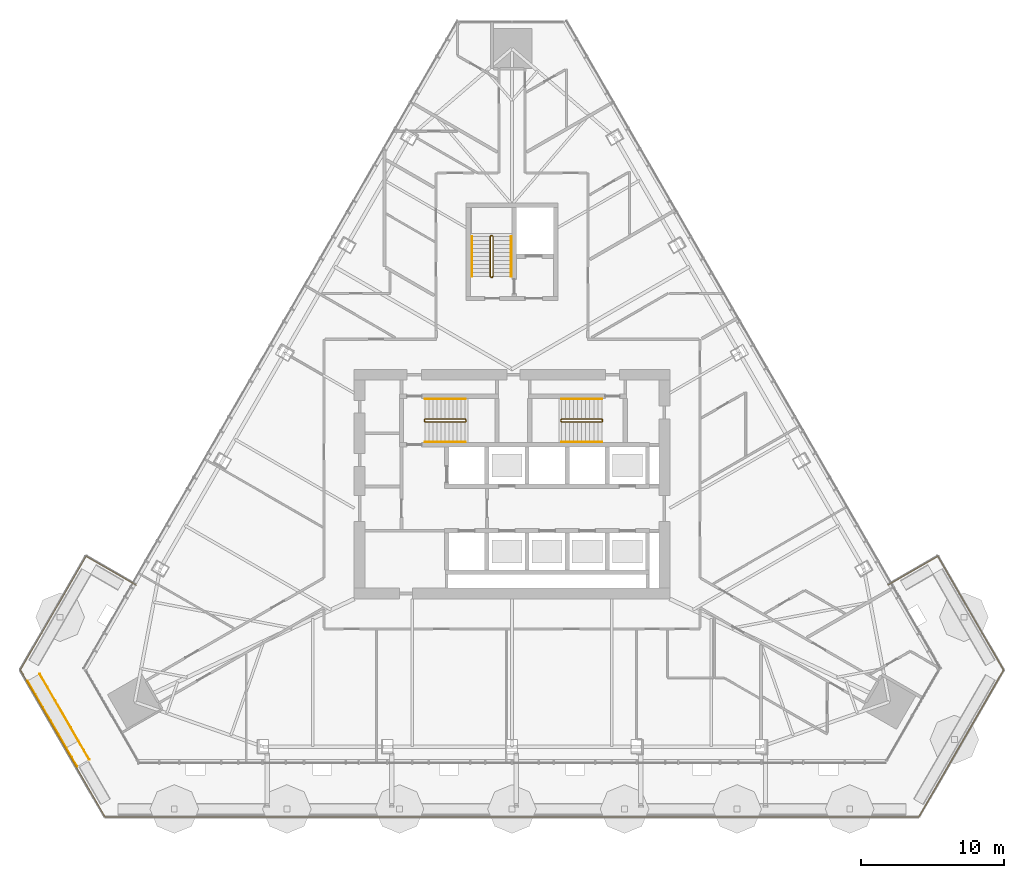
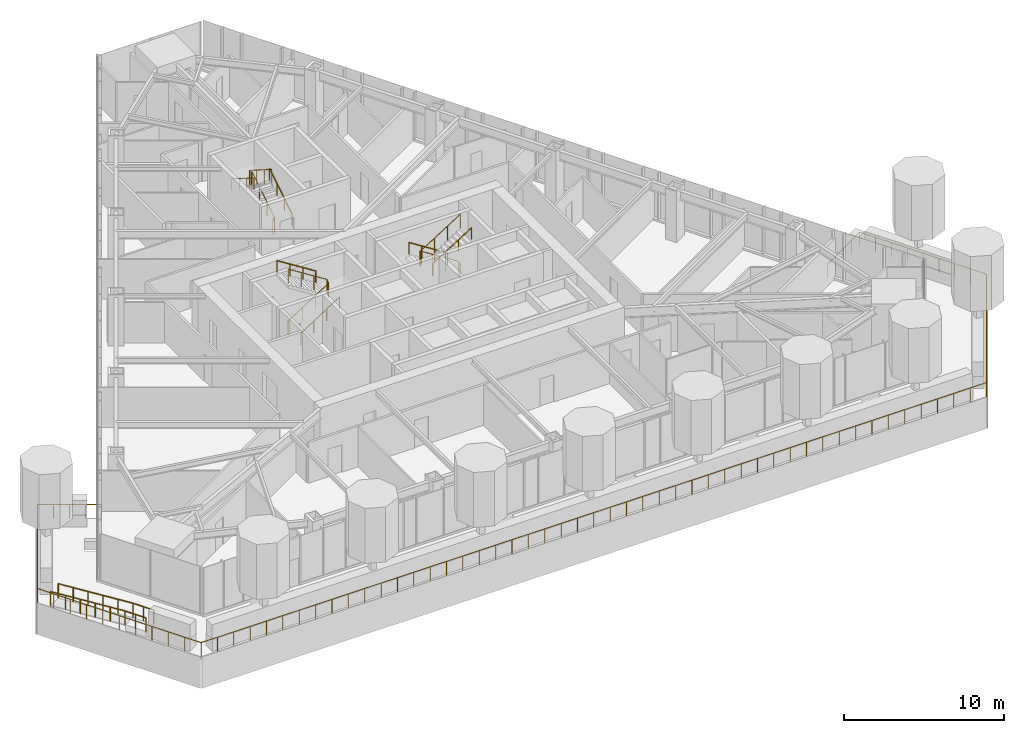
# One storey, part 22 of 24: 12 railings.
"""IFC4 building model written with IfcOpenShell, lengths in metres."""

from ifc_helpers import new_model, si_unit, direction, frame, origin, origin_2d, place, context, subcontext, project, spatial, circle, extrude, material, type_object, element, save


model = new_model("IFC4")

# Units and contexts
model_context = context("Model", 3, precision=1e-05, world=origin(), true_north=direction((0.0, 1.0)))
body_context = subcontext(model_context, "Body", "Model", "MODEL_VIEW")
ifc_project = project(units=[si_unit("LENGTHUNIT", "METRE"), si_unit("AREAUNIT", "SQUARE_METRE"), si_unit("VOLUMEUNIT", "CUBIC_METRE"), si_unit("PLANEANGLEUNIT", "RADIAN"), si_unit("MASSUNIT", "GRAM", prefix="KILO")], contexts=[model_context])

# Site, building, storey
site_placement = place(None, origin())
site = spatial("IfcSite", under=ifc_project, at=site_placement, CompositionType="ELEMENT")
building_placement = place(site_placement, origin())
building = spatial("IfcBuilding", under=site, at=building_placement, Name="Firuza Gate Tower and Library", CompositionType="ELEMENT")
storey_placement = place(building_placement, frame((0.0, 0.0, 194.800048828125)))
storey = spatial("IfcBuildingStorey", under=building, at=storey_placement, Name="L45", CompositionType="ELEMENT", Elevation=194.800048828125)

# Railings
ifc_material_1 = material(Name="Steel S355", Category="steel")
railing_type_1 = type_object("IfcRailingType", Name="Garden ramp guard 1100", PredefinedType="GUARDRAIL", material=ifc_material_1)
for number, where, name in (
    (1, (42.074462890625, 61.77490234375, 0.050048828125), "Ramp guard"),
    (2, (41.225830078125, 61.284912109375, 0.050048828125), "Ramp guard"),
):
    element("IfcRailing", number, at=place(storey_placement, frame(where)), inside=storey, type_object=railing_type_1, Name=name, PredefinedType="GUARDRAIL", context=body_context, shape_type="SweptSolid", body=[
        extrude(circle(Radius=0.02392578125, at=origin_2d()), frame((0.0, 0.0, 1.076171875), z_axis=(0.498629635652, -0.863663140512, 0.073854357826), x_axis=(0.866028230842, 0.499995103361, 0.0)), (0.0, 0.0, 1.0), 5.414794921875),
        extrude(circle(Radius=0.02392578125, at=origin_2d()), frame((2.699951171875, -4.676513671875, 1.47607421875), z_axis=(0.499990139034, -0.866031096941, 0.0), x_axis=(0.866031096941, 0.499990139034, 0.0)), (0.0, 0.0, 1.0), 1.5),
        extrude(circle(Radius=0.02099609375, at=origin_2d()), origin(), (0.0, 0.0, 1.0), 1.052001953125),
        extrude(circle(Radius=0.02099609375, at=origin_2d()), frame((0.5400390625, -0.935302734375, 0.080078125)), (0.0, 0.0, 1.0), 1.052001953125),
        extrude(circle(Radius=0.02099609375, at=origin_2d()), frame((1.080078125, -1.87060546875, 0.159912109375)), (0.0, 0.0, 1.0), 1.052001953125),
        extrude(circle(Radius=0.02099609375, at=origin_2d()), frame((1.619873046875, -2.805908203125, 0.239990234375)), (0.0, 0.0, 1.0), 1.052001953125),
        extrude(circle(Radius=0.02099609375, at=origin_2d()), frame((2.159912109375, -3.7412109375, 0.31982421875)), (0.0, 0.0, 1.0), 1.052001953125),
        extrude(circle(Radius=0.02099609375, at=origin_2d()), frame((2.699951171875, -4.676513671875, 0.39990234375)), (0.0, 0.0, 1.0), 1.052001953125),
        extrude(circle(Radius=0.02099609375, at=origin_2d()), frame((3.074951171875, -5.326171875, 0.39990234375)), (0.0, 0.0, 1.0), 1.052001953125),
        extrude(circle(Radius=0.02099609375, at=origin_2d()), frame((3.449951171875, -5.9755859375, 0.39990234375)), (0.0, 0.0, 1.0), 1.052001953125),
    ])
ifc_material_2 = material(Name="Steel S355", Category="steel")
railing_type_2 = type_object("IfcRailingType", Name="Stair guard 1100", PredefinedType="GUARDRAIL", material=ifc_material_2)
railing_1_placement = place(storey_placement, frame((68.889892578125, 79.389892578125, 0.0)))
element("IfcRailing", 3, at=railing_1_placement, inside=storey, type_object=railing_type_2, Name="L45 ST1 stair guard 1", PredefinedType="GUARDRAIL", context=body_context, shape_type="SweptSolid", body=[
    extrude(circle(Radius=0.02392578125, at=origin_2d()), frame((0.0, 0.0, 1.076171875), z_axis=(0.0, 1.0, 0.0), x_axis=(-1.0, 0.0, 0.0)), (0.0, 0.0, 1.0), 0.10009765625),
    extrude(circle(Radius=0.02392578125, at=origin_2d()), frame((0.0, 0.10009765625, 1.076171875), z_axis=(0.210758951027, -0.631248760638, 0.74639511437), x_axis=(0.948528701346, 0.316691178788, 0.0)), (0.0, 0.0, 1.0), 0.237548828125),
    extrude(circle(Radius=0.02392578125, at=origin_2d()), frame((0.050048828125, -0.0498046875, 1.25341796875), z_axis=(0.844908973607, 0.0, 0.534910110503), x_axis=(0.0, 1.0, 0.0)), (0.0, 0.0, 1.0), 3.31396484375),
    extrude(circle(Radius=0.02392578125, at=origin_2d()), frame((2.85009765625, -0.0498046875, 3.02587890625), z_axis=(0.708833529934, 0.705375805398, 0.0), x_axis=(-0.705375805398, 0.708833529934, 0.0)), (0.0, 0.0, 1.0), 0.070556640625),
    extrude(circle(Radius=0.02392578125, at=origin_2d()), frame((2.900146484375, 0.0, 3.02587890625), z_axis=(0.0, 1.0, 0.0), x_axis=(-1.0, 0.0, 0.0)), (0.0, 0.0, 1.0), 0.10009765625),
    extrude(circle(Radius=0.02392578125, at=origin_2d()), frame((2.900146484375, 0.10009765625, 3.02587890625), z_axis=(-0.262233686654, 0.262233686654, 0.928691007369), x_axis=(-0.707106781187, -0.707106781187, 0.0)), (0.0, 0.0, 1.0), 0.19091796875),
    extrude(circle(Radius=0.02392578125, at=origin_2d()), frame((2.85009765625, 0.150146484375, 3.203125), z_axis=(-0.844908973607, 0.0, 0.534910110503), x_axis=(0.0, -1.0, 0.0)), (0.0, 0.0, 1.0), 3.31396484375),
    extrude(circle(Radius=0.02099609375, at=origin_2d()), origin(), (0.0, 0.0, 1.0), 1.052001953125),
    extrude(circle(Radius=0.02099609375, at=origin_2d()), frame((0.0, 0.10009765625, 0.0)), (0.0, 0.0, 1.0), 1.052001953125),
    extrude(circle(Radius=0.02099609375, at=origin_2d()), frame((0.050048828125, -0.0498046875, 0.17724609375)), (0.0, 0.0, 1.0), 1.052001953125),
    extrude(circle(Radius=0.02099609375, at=origin_2d()), frame((0.9833984375, -0.0498046875, 0.76806640625)), (0.0, 0.0, 1.0), 1.052001953125),
    extrude(circle(Radius=0.02099609375, at=origin_2d()), frame((1.916748046875, -0.0498046875, 1.359130859375)), (0.0, 0.0, 1.0), 1.052001953125),
    extrude(circle(Radius=0.02099609375, at=origin_2d()), frame((2.85009765625, -0.0498046875, 1.949951171875)), (0.0, 0.0, 1.0), 1.052001953125),
    extrude(circle(Radius=0.02099609375, at=origin_2d()), frame((2.900146484375, 0.0, 1.949951171875)), (0.0, 0.0, 1.0), 1.052001953125),
    extrude(circle(Radius=0.02099609375, at=origin_2d()), frame((2.900146484375, 0.10009765625, 1.949951171875)), (0.0, 0.0, 1.0), 1.052001953125),
    extrude(circle(Radius=0.02099609375, at=origin_2d()), frame((2.85009765625, 0.150146484375, 2.127197265625)), (0.0, 0.0, 1.0), 1.052001953125),
    extrude(circle(Radius=0.02099609375, at=origin_2d()), frame((1.916748046875, 0.150146484375, 2.718017578125)), (0.0, 0.0, 1.0), 1.052001953125),
    extrude(circle(Radius=0.02099609375, at=origin_2d()), frame((0.9833984375, 0.150146484375, 3.30908203125)), (0.0, 0.0, 1.0), 1.052001953125),
    extrude(circle(Radius=0.02099609375, at=origin_2d()), frame((0.050048828125, 0.150146484375, 3.89990234375)), (0.0, 0.0, 1.0), 1.052001953125),
])
railing_2_placement = place(storey_placement, frame((81.31005859375, 79.489990234375, 0.0)))
element("IfcRailing", 4, at=railing_2_placement, inside=storey, type_object=railing_type_2, Name="L45 ST2 stair guard 1", PredefinedType="GUARDRAIL", context=body_context, shape_type="SweptSolid", body=[
    extrude(circle(Radius=0.02392578125, at=origin_2d()), frame((0.0, 0.0, 1.076171875), z_axis=(0.0, -1.0, 0.0), x_axis=(1.0, 0.0, 0.0)), (0.0, 0.0, 1.0), 0.10009765625),
    extrude(circle(Radius=0.02392578125, at=origin_2d()), frame((0.0, -0.10009765625, 1.076171875), z_axis=(-0.210622194084, 0.631866582253, 0.74591079466), x_axis=(-0.948683298051, -0.316227766017, 0.0)), (0.0, 0.0, 1.0), 0.237548828125),
    extrude(circle(Radius=0.02392578125, at=origin_2d()), frame((-0.050048828125, 0.050048828125, 1.25341796875), z_axis=(-0.844908973607, 0.0, 0.534910110503), x_axis=(0.0, -1.0, 0.0)), (0.0, 0.0, 1.0), 3.31396484375),
    extrude(circle(Radius=0.02392578125, at=origin_2d()), frame((-2.85009765625, 0.050048828125, 3.02587890625), z_axis=(-0.707106781187, -0.707106781187, 0.0), x_axis=(0.707106781187, -0.707106781187, 0.0)), (0.0, 0.0, 1.0), 0.07080078125),
    extrude(circle(Radius=0.02392578125, at=origin_2d()), frame((-2.900146484375, 0.0, 3.02587890625), z_axis=(0.0, -1.0, 0.0), x_axis=(1.0, 0.0, 0.0)), (0.0, 0.0, 1.0), 0.10009765625),
    extrude(circle(Radius=0.02392578125, at=origin_2d()), frame((-2.900146484375, -0.10009765625, 3.02587890625), z_axis=(0.262321481514, -0.261041864531, 0.929001929653), x_axis=(0.705375805398, 0.708833529934, 0.0)), (0.0, 0.0, 1.0), 0.190673828125),
    extrude(circle(Radius=0.02392578125, at=origin_2d()), frame((-2.85009765625, -0.14990234375, 3.203125), z_axis=(0.844908973607, 0.0, 0.534910110503), x_axis=(0.0, 1.0, 0.0)), (0.0, 0.0, 1.0), 3.31396484375),
    extrude(circle(Radius=0.02099609375, at=origin_2d()), origin(), (0.0, 0.0, 1.0), 1.052001953125),
    extrude(circle(Radius=0.02099609375, at=origin_2d()), frame((0.0, -0.10009765625, 0.0)), (0.0, 0.0, 1.0), 1.052001953125),
    extrude(circle(Radius=0.02099609375, at=origin_2d()), frame((-0.050048828125, 0.050048828125, 0.17724609375)), (0.0, 0.0, 1.0), 1.052001953125),
    extrude(circle(Radius=0.02099609375, at=origin_2d()), frame((-0.9833984375, 0.050048828125, 0.76806640625)), (0.0, 0.0, 1.0), 1.052001953125),
    extrude(circle(Radius=0.02099609375, at=origin_2d()), frame((-1.916748046875, 0.050048828125, 1.359130859375)), (0.0, 0.0, 1.0), 1.052001953125),
    extrude(circle(Radius=0.02099609375, at=origin_2d()), frame((-2.85009765625, 0.050048828125, 1.949951171875)), (0.0, 0.0, 1.0), 1.052001953125),
    extrude(circle(Radius=0.02099609375, at=origin_2d()), frame((-2.900146484375, 0.0, 1.949951171875)), (0.0, 0.0, 1.0), 1.052001953125),
    extrude(circle(Radius=0.02099609375, at=origin_2d()), frame((-2.900146484375, -0.10009765625, 1.949951171875)), (0.0, 0.0, 1.0), 1.052001953125),
    extrude(circle(Radius=0.02099609375, at=origin_2d()), frame((-2.85009765625, -0.14990234375, 2.127197265625)), (0.0, 0.0, 1.0), 1.052001953125),
    extrude(circle(Radius=0.02099609375, at=origin_2d()), frame((-1.916748046875, -0.14990234375, 2.718017578125)), (0.0, 0.0, 1.0), 1.052001953125),
    extrude(circle(Radius=0.02099609375, at=origin_2d()), frame((-0.9833984375, -0.14990234375, 3.30908203125)), (0.0, 0.0, 1.0), 1.052001953125),
    extrude(circle(Radius=0.02099609375, at=origin_2d()), frame((-0.050048828125, -0.14990234375, 3.89990234375)), (0.0, 0.0, 1.0), 1.052001953125),
])
railing_3_placement = place(storey_placement, frame((73.6298828125, 89.419921875, 0.0)))
element("IfcRailing", 5, at=railing_3_placement, inside=storey, type_object=railing_type_2, Name="L45 ST3 stair guard 1", PredefinedType="GUARDRAIL", context=body_context, shape_type="SweptSolid", body=[
    extrude(circle(Radius=0.02392578125, at=origin_2d()), frame((0.0, 0.0, 1.076171875), z_axis=(-1.0, 0.0, 0.0), x_axis=(0.0, -1.0, 0.0)), (0.0, 0.0, 1.0), 0.099853515625),
    extrude(circle(Radius=0.02392578125, at=origin_2d()), frame((-0.099853515625, 0.0, 1.076171875), z_axis=(0.631248760638, 0.210758951027, 0.74639511437), x_axis=(-0.316691178788, 0.948528701346, 0.0)), (0.0, 0.0, 1.0), 0.237548828125),
    extrude(circle(Radius=0.02392578125, at=origin_2d()), frame((0.050048828125, 0.050048828125, 1.25341796875), z_axis=(0.0, 0.844908973607, 0.534910110503), x_axis=(-1.0, 0.0, 0.0)), (0.0, 0.0, 1.0), 3.31396484375),
    extrude(circle(Radius=0.02392578125, at=origin_2d()), frame((0.050048828125, 2.85009765625, 3.02587890625), z_axis=(-0.707106781187, 0.707106781187, 0.0), x_axis=(-0.707106781187, -0.707106781187, 0.0)), (0.0, 0.0, 1.0), 0.07080078125),
    extrude(circle(Radius=0.02392578125, at=origin_2d()), frame((0.0, 2.900146484375, 3.02587890625), z_axis=(-1.0, 0.0, 0.0), x_axis=(0.0, -1.0, 0.0)), (0.0, 0.0, 1.0), 0.099853515625),
    extrude(circle(Radius=0.02392578125, at=origin_2d()), frame((-0.099853515625, 2.900146484375, 3.02587890625), z_axis=(-0.262233686654, -0.262233686654, 0.928691007369), x_axis=(0.707106781187, -0.707106781187, 0.0)), (0.0, 0.0, 1.0), 0.19091796875),
    extrude(circle(Radius=0.02392578125, at=origin_2d()), frame((-0.14990234375, 2.85009765625, 3.203125), z_axis=(0.0, -0.844908973607, 0.534910110503), x_axis=(1.0, 0.0, 0.0)), (0.0, 0.0, 1.0), 3.31396484375),
    extrude(circle(Radius=0.02099609375, at=origin_2d()), origin(), (0.0, 0.0, 1.0), 1.052001953125),
    extrude(circle(Radius=0.02099609375, at=origin_2d()), frame((-0.099853515625, 0.0, 0.0)), (0.0, 0.0, 1.0), 1.052001953125),
    extrude(circle(Radius=0.02099609375, at=origin_2d()), frame((0.050048828125, 0.050048828125, 0.17724609375)), (0.0, 0.0, 1.0), 1.052001953125),
    extrude(circle(Radius=0.02099609375, at=origin_2d()), frame((0.050048828125, 0.9833984375, 0.76806640625)), (0.0, 0.0, 1.0), 1.052001953125),
    extrude(circle(Radius=0.02099609375, at=origin_2d()), frame((0.050048828125, 1.916748046875, 1.359130859375)), (0.0, 0.0, 1.0), 1.052001953125),
    extrude(circle(Radius=0.02099609375, at=origin_2d()), frame((0.050048828125, 2.85009765625, 1.949951171875)), (0.0, 0.0, 1.0), 1.052001953125),
    extrude(circle(Radius=0.02099609375, at=origin_2d()), frame((0.0, 2.900146484375, 1.949951171875)), (0.0, 0.0, 1.0), 1.052001953125),
    extrude(circle(Radius=0.02099609375, at=origin_2d()), frame((-0.099853515625, 2.900146484375, 1.949951171875)), (0.0, 0.0, 1.0), 1.052001953125),
    extrude(circle(Radius=0.02099609375, at=origin_2d()), frame((-0.14990234375, 2.85009765625, 2.127197265625)), (0.0, 0.0, 1.0), 1.052001953125),
    extrude(circle(Radius=0.02099609375, at=origin_2d()), frame((-0.14990234375, 1.916748046875, 2.718017578125)), (0.0, 0.0, 1.0), 1.052001953125),
    extrude(circle(Radius=0.02099609375, at=origin_2d()), frame((-0.14990234375, 0.9833984375, 3.30908203125)), (0.0, 0.0, 1.0), 1.052001953125),
    extrude(circle(Radius=0.02099609375, at=origin_2d()), frame((-0.14990234375, 0.050048828125, 3.89990234375)), (0.0, 0.0, 1.0), 1.052001953125),
])
ifc_material_3 = material(Name="Steel S355", Category="steel")
railing_type_3 = type_object("IfcRailingType", Name="Stair handrail 900", PredefinedType="HANDRAIL", material=ifc_material_3)
railing_4_placement = place(storey_placement, frame((68.93994140625, 77.949951171875, 0.17724609375)))
element("IfcRailing", 6, at=railing_4_placement, inside=storey, type_object=railing_type_3, Name="L45 ST1 stair handrail 1", PredefinedType="HANDRAIL", context=body_context, shape_type="SweptSolid", body=[
    extrude(circle(Radius=0.02392578125, at=origin_2d()), frame((0.0, 0.0, 0.8759765625), z_axis=(0.844908973607, 0.0, 0.534910110503), x_axis=(0.0, 1.0, 0.0)), (0.0, 0.0, 1.0), 3.31396484375),
    extrude(circle(Radius=0.02099609375, at=origin_2d()), origin(), (0.0, 0.0, 1.0), 0.851806640625),
    extrude(circle(Radius=0.02099609375, at=origin_2d()), frame((0.933349609375, 0.0, 0.5908203125)), (0.0, 0.0, 1.0), 0.851806640625),
    extrude(circle(Radius=0.02099609375, at=origin_2d()), frame((1.86669921875, 0.0, 1.181884765625)), (0.0, 0.0, 1.0), 0.851806640625),
    extrude(circle(Radius=0.02099609375, at=origin_2d()), frame((2.800048828125, 0.0, 1.772705078125)), (0.0, 0.0, 1.0), 0.851806640625),
])
for number, where, name in (
    (7, (71.739990234375, 80.929931640625, 2.127197265625), "L45 ST1 stair handrail 2"),
    (8, (81.260009765625, 80.929931640625, 0.17724609375), "L45 ST2 stair handrail 1"),
):
    element("IfcRailing", number, at=place(storey_placement, frame(where)), inside=storey, type_object=railing_type_3, Name=name, PredefinedType="HANDRAIL", context=body_context, shape_type="SweptSolid", body=[
        extrude(circle(Radius=0.02392578125, at=origin_2d()), frame((0.0, 0.0, 0.8759765625), z_axis=(-0.844908973607, 0.0, 0.534910110503), x_axis=(0.0, -1.0, 0.0)), (0.0, 0.0, 1.0), 3.31396484375),
        extrude(circle(Radius=0.02099609375, at=origin_2d()), origin(), (0.0, 0.0, 1.0), 0.851806640625),
        extrude(circle(Radius=0.02099609375, at=origin_2d()), frame((-0.933349609375, 0.0, 0.5908203125)), (0.0, 0.0, 1.0), 0.851806640625),
        extrude(circle(Radius=0.02099609375, at=origin_2d()), frame((-1.86669921875, 0.0, 1.181884765625)), (0.0, 0.0, 1.0), 0.851806640625),
        extrude(circle(Radius=0.02099609375, at=origin_2d()), frame((-2.800048828125, 0.0, 1.772705078125)), (0.0, 0.0, 1.0), 0.851806640625),
    ])
railing_5_placement = place(storey_placement, frame((78.4599609375, 77.949951171875, 2.127197265625)))
element("IfcRailing", 9, at=railing_5_placement, inside=storey, type_object=railing_type_3, Name="L45 ST2 stair handrail 2", PredefinedType="HANDRAIL", context=body_context, shape_type="SweptSolid", body=[
    extrude(circle(Radius=0.02392578125, at=origin_2d()), frame((0.0, 0.0, 0.8759765625), z_axis=(0.844908973607, 0.0, 0.534910110503), x_axis=(0.0, 1.0, 0.0)), (0.0, 0.0, 1.0), 3.31396484375),
    extrude(circle(Radius=0.02099609375, at=origin_2d()), origin(), (0.0, 0.0, 1.0), 0.851806640625),
    extrude(circle(Radius=0.02099609375, at=origin_2d()), frame((0.933349609375, 0.0, 0.5908203125)), (0.0, 0.0, 1.0), 0.851806640625),
    extrude(circle(Radius=0.02099609375, at=origin_2d()), frame((1.86669921875, 0.0, 1.181884765625)), (0.0, 0.0, 1.0), 0.851806640625),
    extrude(circle(Radius=0.02099609375, at=origin_2d()), frame((2.800048828125, 0.0, 1.772705078125)), (0.0, 0.0, 1.0), 0.851806640625),
])
railing_6_placement = place(storey_placement, frame((74.949951171875, 89.469970703125, 0.17724609375)))
element("IfcRailing", 10, at=railing_6_placement, inside=storey, type_object=railing_type_3, Name="L45 ST3 stair handrail 1", PredefinedType="HANDRAIL", context=body_context, shape_type="SweptSolid", body=[
    extrude(circle(Radius=0.02392578125, at=origin_2d()), frame((0.0, 0.0, 0.8759765625), z_axis=(0.0, 0.844908973607, 0.534910110503), x_axis=(-1.0, 0.0, 0.0)), (0.0, 0.0, 1.0), 3.31396484375),
    extrude(circle(Radius=0.02099609375, at=origin_2d()), origin(), (0.0, 0.0, 1.0), 0.851806640625),
    extrude(circle(Radius=0.02099609375, at=origin_2d()), frame((0.0, 0.933349609375, 0.5908203125)), (0.0, 0.0, 1.0), 0.851806640625),
    extrude(circle(Radius=0.02099609375, at=origin_2d()), frame((0.0, 1.86669921875, 1.181884765625)), (0.0, 0.0, 1.0), 0.851806640625),
    extrude(circle(Radius=0.02099609375, at=origin_2d()), frame((0.0, 2.800048828125, 1.772705078125)), (0.0, 0.0, 1.0), 0.851806640625),
])
railing_7_placement = place(storey_placement, frame((72.2099609375, 92.27001953125, 2.127197265625)))
element("IfcRailing", 11, at=railing_7_placement, inside=storey, type_object=railing_type_3, Name="L45 ST3 stair handrail 2", PredefinedType="HANDRAIL", context=body_context, shape_type="SweptSolid", body=[
    extrude(circle(Radius=0.02392578125, at=origin_2d()), frame((0.0, 0.0, 0.8759765625), z_axis=(0.0, -0.844908973607, 0.534910110503), x_axis=(1.0, 0.0, 0.0)), (0.0, 0.0, 1.0), 3.31396484375),
    extrude(circle(Radius=0.02099609375, at=origin_2d()), origin(), (0.0, 0.0, 1.0), 0.851806640625),
    extrude(circle(Radius=0.02099609375, at=origin_2d()), frame((0.0, -0.933349609375, 0.5908203125)), (0.0, 0.0, 1.0), 0.851806640625),
    extrude(circle(Radius=0.02099609375, at=origin_2d()), frame((0.0, -1.86669921875, 1.181884765625)), (0.0, 0.0, 1.0), 0.851806640625),
    extrude(circle(Radius=0.02099609375, at=origin_2d()), frame((0.0, -2.800048828125, 1.772705078125)), (0.0, 0.0, 1.0), 0.851806640625),
])
ifc_material_4 = material(Name="Steel S355", Category="steel")
railing_type_4 = type_object("IfcRailingType", Name="Terrace guard 1100", PredefinedType="GUARDRAIL", material=ifc_material_4)
railing_8_placement = place(storey_placement, frame((48.770751953125, 67.971923828125, 0.0)))
element("IfcRailing", 12, at=railing_8_placement, inside=storey, type_object=railing_type_4, Name="Tray guard L45", PredefinedType="GUARDRAIL", context=body_context, shape_type="SweptSolid", body=[
    extrude(circle(Radius=0.02392578125, at=origin_2d()), frame((0.0, 0.0, 1.076171875), z_axis=(-0.866026010844, 0.49999894854, 0.0), x_axis=(-0.49999894854, -0.866026010844, 0.0)), (0.0, 0.0, 1.0), 4.0),
    extrude(circle(Radius=0.02392578125, at=origin_2d()), frame((-3.464111328125, 2.0, 1.076171875), z_axis=(-0.499992222768, -0.866029893925, 0.0), x_axis=(0.866029893925, -0.499992222768, 0.0)), (0.0, 0.0, 1.0), 9.165771484375),
    extrude(circle(Radius=0.02392578125, at=origin_2d()), frame((-8.046875, -5.937744140625, 1.076171875), z_axis=(0.500002592159, -0.866023907196, 0.0), x_axis=(0.866023907196, 0.500002592159, 0.0)), (0.0, 0.0, 1.0), 11.81884765625),
    extrude(circle(Radius=0.02392578125, at=origin_2d()), frame((-2.137451171875, -16.173095703125, 1.076171875), z_axis=(1.0, 0.0, 0.0), x_axis=(0.0, 1.0, 0.0)), (0.0, 0.0, 1.0), 56.7333984375),
    extrude(circle(Radius=0.02392578125, at=origin_2d()), frame((54.595947265625, -16.173095703125, 1.076171875), z_axis=(0.500002592159, 0.866023907196, 0.0), x_axis=(-0.866023907196, 0.500002592159, 0.0)), (0.0, 0.0, 1.0), 11.81884765625),
    extrude(circle(Radius=0.02392578125, at=origin_2d()), frame((60.50537109375, -5.937744140625, 1.076171875), z_axis=(-0.499992222768, 0.866029893925, 0.0), x_axis=(-0.866029893925, -0.499992222768, 0.0)), (0.0, 0.0, 1.0), 9.165771484375),
    extrude(circle(Radius=0.02392578125, at=origin_2d()), frame((55.922607421875, 2.0, 1.076171875), z_axis=(-0.866026010844, -0.49999894854, 0.0), x_axis=(0.49999894854, -0.866026010844, 0.0)), (0.0, 0.0, 1.0), 4.0),
    extrude(circle(Radius=0.02099609375, at=origin_2d()), origin(), (0.0, 0.0, 1.0), 1.052001953125),
    extrude(circle(Radius=0.02099609375, at=origin_2d()), frame((-0.865966796875, 0.5, 0.0)), (0.0, 0.0, 1.0), 1.052001953125),
    extrude(circle(Radius=0.02099609375, at=origin_2d()), frame((-1.73193359375, 1.0, 0.0)), (0.0, 0.0, 1.0), 1.052001953125),
    extrude(circle(Radius=0.02099609375, at=origin_2d()), frame((-2.59814453125, 1.5, 0.0)), (0.0, 0.0, 1.0), 1.052001953125),
    extrude(circle(Radius=0.02099609375, at=origin_2d()), frame((-3.464111328125, 2.0, 0.0)), (0.0, 0.0, 1.0), 1.052001953125),
    extrude(circle(Radius=0.02099609375, at=origin_2d()), frame((-4.036865234375, 1.0078125, 0.0)), (0.0, 0.0, 1.0), 1.052001953125),
    extrude(circle(Radius=0.02099609375, at=origin_2d()), frame((-4.60986328125, 0.015625, 0.0)), (0.0, 0.0, 1.0), 1.052001953125),
    extrude(circle(Radius=0.02099609375, at=origin_2d()), frame((-5.1826171875, -0.9765625, 0.0)), (0.0, 0.0, 1.0), 1.052001953125),
    extrude(circle(Radius=0.02099609375, at=origin_2d()), frame((-5.75537109375, -1.96875, 0.0)), (0.0, 0.0, 1.0), 1.052001953125),
    extrude(circle(Radius=0.02099609375, at=origin_2d()), frame((-6.328369140625, -2.961181640625, 0.0)), (0.0, 0.0, 1.0), 1.052001953125),
    extrude(circle(Radius=0.02099609375, at=origin_2d()), frame((-6.901123046875, -3.953369140625, 0.0)), (0.0, 0.0, 1.0), 1.052001953125),
    extrude(circle(Radius=0.02099609375, at=origin_2d()), frame((-7.47412109375, -4.945556640625, 0.0)), (0.0, 0.0, 1.0), 1.052001953125),
    extrude(circle(Radius=0.02099609375, at=origin_2d()), frame((-8.046875, -5.937744140625, 0.0)), (0.0, 0.0, 1.0), 1.052001953125),
    extrude(circle(Radius=0.02099609375, at=origin_2d()), frame((-7.4560546875, -6.961181640625, 0.0)), (0.0, 0.0, 1.0), 1.052001953125),
    extrude(circle(Radius=0.02099609375, at=origin_2d()), frame((-6.864990234375, -7.98486328125, 0.0)), (0.0, 0.0, 1.0), 1.052001953125),
    extrude(circle(Radius=0.02099609375, at=origin_2d()), frame((-6.27392578125, -9.00830078125, 0.0)), (0.0, 0.0, 1.0), 1.052001953125),
    extrude(circle(Radius=0.02099609375, at=origin_2d()), frame((-5.68310546875, -10.031982421875, 0.0)), (0.0, 0.0, 1.0), 1.052001953125),
    extrude(circle(Radius=0.02099609375, at=origin_2d()), frame((-5.09228515625, -11.055419921875, 0.0)), (0.0, 0.0, 1.0), 1.052001953125),
    extrude(circle(Radius=0.02099609375, at=origin_2d()), frame((-4.501220703125, -12.078857421875, 0.0)), (0.0, 0.0, 1.0), 1.052001953125),
    extrude(circle(Radius=0.02099609375, at=origin_2d()), frame((-3.91015625, -13.1025390625, 0.0)), (0.0, 0.0, 1.0), 1.052001953125),
    extrude(circle(Radius=0.02099609375, at=origin_2d()), frame((-3.3193359375, -14.1259765625, 0.0)), (0.0, 0.0, 1.0), 1.052001953125),
    extrude(circle(Radius=0.02099609375, at=origin_2d()), frame((-2.728515625, -15.149658203125, 0.0)), (0.0, 0.0, 1.0), 1.052001953125),
    extrude(circle(Radius=0.02099609375, at=origin_2d()), frame((-2.137451171875, -16.173095703125, 0.0)), (0.0, 0.0, 1.0), 1.052001953125),
    extrude(circle(Radius=0.02099609375, at=origin_2d()), frame((-0.95556640625, -16.173095703125, 0.0)), (0.0, 0.0, 1.0), 1.052001953125),
    extrude(circle(Radius=0.02099609375, at=origin_2d()), frame((0.2265625, -16.173095703125, 0.0)), (0.0, 0.0, 1.0), 1.052001953125),
    extrude(circle(Radius=0.02099609375, at=origin_2d()), frame((1.408447265625, -16.173095703125, 0.0)), (0.0, 0.0, 1.0), 1.052001953125),
    extrude(circle(Radius=0.02099609375, at=origin_2d()), frame((2.59033203125, -16.173095703125, 0.0)), (0.0, 0.0, 1.0), 1.052001953125),
    extrude(circle(Radius=0.02099609375, at=origin_2d()), frame((3.772216796875, -16.173095703125, 0.0)), (0.0, 0.0, 1.0), 1.052001953125),
    extrude(circle(Radius=0.02099609375, at=origin_2d()), frame((4.9541015625, -16.173095703125, 0.0)), (0.0, 0.0, 1.0), 1.052001953125),
    extrude(circle(Radius=0.02099609375, at=origin_2d()), frame((6.13623046875, -16.173095703125, 0.0)), (0.0, 0.0, 1.0), 1.052001953125),
    extrude(circle(Radius=0.02099609375, at=origin_2d()), frame((7.318115234375, -16.173095703125, 0.0)), (0.0, 0.0, 1.0), 1.052001953125),
    extrude(circle(Radius=0.02099609375, at=origin_2d()), frame((8.5, -16.173095703125, 0.0)), (0.0, 0.0, 1.0), 1.052001953125),
    extrude(circle(Radius=0.02099609375, at=origin_2d()), frame((9.68212890625, -16.173095703125, 0.0)), (0.0, 0.0, 1.0), 1.052001953125),
    extrude(circle(Radius=0.02099609375, at=origin_2d()), frame((10.864013671875, -16.173095703125, 0.0)), (0.0, 0.0, 1.0), 1.052001953125),
    extrude(circle(Radius=0.02099609375, at=origin_2d()), frame((12.0458984375, -16.173095703125, 0.0)), (0.0, 0.0, 1.0), 1.052001953125),
    extrude(circle(Radius=0.02099609375, at=origin_2d()), frame((13.227783203125, -16.173095703125, 0.0)), (0.0, 0.0, 1.0), 1.052001953125),
    extrude(circle(Radius=0.02099609375, at=origin_2d()), frame((14.40966796875, -16.173095703125, 0.0)), (0.0, 0.0, 1.0), 1.052001953125),
    extrude(circle(Radius=0.02099609375, at=origin_2d()), frame((15.591796875, -16.173095703125, 0.0)), (0.0, 0.0, 1.0), 1.052001953125),
    extrude(circle(Radius=0.02099609375, at=origin_2d()), frame((16.773681640625, -16.173095703125, 0.0)), (0.0, 0.0, 1.0), 1.052001953125),
    extrude(circle(Radius=0.02099609375, at=origin_2d()), frame((17.95556640625, -16.173095703125, 0.0)), (0.0, 0.0, 1.0), 1.052001953125),
    extrude(circle(Radius=0.02099609375, at=origin_2d()), frame((19.1376953125, -16.173095703125, 0.0)), (0.0, 0.0, 1.0), 1.052001953125),
    extrude(circle(Radius=0.02099609375, at=origin_2d()), frame((20.319580078125, -16.173095703125, 0.0)), (0.0, 0.0, 1.0), 1.052001953125),
    extrude(circle(Radius=0.02099609375, at=origin_2d()), frame((21.50146484375, -16.173095703125, 0.0)), (0.0, 0.0, 1.0), 1.052001953125),
    extrude(circle(Radius=0.02099609375, at=origin_2d()), frame((22.683349609375, -16.173095703125, 0.0)), (0.0, 0.0, 1.0), 1.052001953125),
    extrude(circle(Radius=0.02099609375, at=origin_2d()), frame((23.865234375, -16.173095703125, 0.0)), (0.0, 0.0, 1.0), 1.052001953125),
    extrude(circle(Radius=0.02099609375, at=origin_2d()), frame((25.04736328125, -16.173095703125, 0.0)), (0.0, 0.0, 1.0), 1.052001953125),
    extrude(circle(Radius=0.02099609375, at=origin_2d()), frame((26.229248046875, -16.173095703125, 0.0)), (0.0, 0.0, 1.0), 1.052001953125),
    extrude(circle(Radius=0.02099609375, at=origin_2d()), frame((27.4111328125, -16.173095703125, 0.0)), (0.0, 0.0, 1.0), 1.052001953125),
    extrude(circle(Radius=0.02099609375, at=origin_2d()), frame((28.593017578125, -16.173095703125, 0.0)), (0.0, 0.0, 1.0), 1.052001953125),
    extrude(circle(Radius=0.02099609375, at=origin_2d()), frame((29.775146484375, -16.173095703125, 0.0)), (0.0, 0.0, 1.0), 1.052001953125),
    extrude(circle(Radius=0.02099609375, at=origin_2d()), frame((30.95703125, -16.173095703125, 0.0)), (0.0, 0.0, 1.0), 1.052001953125),
    extrude(circle(Radius=0.02099609375, at=origin_2d()), frame((32.138916015625, -16.173095703125, 0.0)), (0.0, 0.0, 1.0), 1.052001953125),
    extrude(circle(Radius=0.02099609375, at=origin_2d()), frame((33.32080078125, -16.173095703125, 0.0)), (0.0, 0.0, 1.0), 1.052001953125),
    extrude(circle(Radius=0.02099609375, at=origin_2d()), frame((34.5029296875, -16.173095703125, 0.0)), (0.0, 0.0, 1.0), 1.052001953125),
    extrude(circle(Radius=0.02099609375, at=origin_2d()), frame((35.684814453125, -16.173095703125, 0.0)), (0.0, 0.0, 1.0), 1.052001953125),
    extrude(circle(Radius=0.02099609375, at=origin_2d()), frame((36.86669921875, -16.173095703125, 0.0)), (0.0, 0.0, 1.0), 1.052001953125),
    extrude(circle(Radius=0.02099609375, at=origin_2d()), frame((38.048828125, -16.173095703125, 0.0)), (0.0, 0.0, 1.0), 1.052001953125),
    extrude(circle(Radius=0.02099609375, at=origin_2d()), frame((39.230712890625, -16.173095703125, 0.0)), (0.0, 0.0, 1.0), 1.052001953125),
    extrude(circle(Radius=0.02099609375, at=origin_2d()), frame((40.41259765625, -16.173095703125, 0.0)), (0.0, 0.0, 1.0), 1.052001953125),
    extrude(circle(Radius=0.02099609375, at=origin_2d()), frame((41.594482421875, -16.173095703125, 0.0)), (0.0, 0.0, 1.0), 1.052001953125),
    extrude(circle(Radius=0.02099609375, at=origin_2d()), frame((42.7763671875, -16.173095703125, 0.0)), (0.0, 0.0, 1.0), 1.052001953125),
    extrude(circle(Radius=0.02099609375, at=origin_2d()), frame((43.95849609375, -16.173095703125, 0.0)), (0.0, 0.0, 1.0), 1.052001953125),
    extrude(circle(Radius=0.02099609375, at=origin_2d()), frame((45.140380859375, -16.173095703125, 0.0)), (0.0, 0.0, 1.0), 1.052001953125),
    extrude(circle(Radius=0.02099609375, at=origin_2d()), frame((46.322265625, -16.173095703125, 0.0)), (0.0, 0.0, 1.0), 1.052001953125),
    extrude(circle(Radius=0.02099609375, at=origin_2d()), frame((47.50439453125, -16.173095703125, 0.0)), (0.0, 0.0, 1.0), 1.052001953125),
    extrude(circle(Radius=0.02099609375, at=origin_2d()), frame((48.686279296875, -16.173095703125, 0.0)), (0.0, 0.0, 1.0), 1.052001953125),
    extrude(circle(Radius=0.02099609375, at=origin_2d()), frame((49.8681640625, -16.173095703125, 0.0)), (0.0, 0.0, 1.0), 1.052001953125),
    extrude(circle(Radius=0.02099609375, at=origin_2d()), frame((51.050048828125, -16.173095703125, 0.0)), (0.0, 0.0, 1.0), 1.052001953125),
    extrude(circle(Radius=0.02099609375, at=origin_2d()), frame((52.23193359375, -16.173095703125, 0.0)), (0.0, 0.0, 1.0), 1.052001953125),
    extrude(circle(Radius=0.02099609375, at=origin_2d()), frame((53.4140625, -16.173095703125, 0.0)), (0.0, 0.0, 1.0), 1.052001953125),
    extrude(circle(Radius=0.02099609375, at=origin_2d()), frame((54.595947265625, -16.173095703125, 0.0)), (0.0, 0.0, 1.0), 1.052001953125),
    extrude(circle(Radius=0.02099609375, at=origin_2d()), frame((55.18701171875, -15.149658203125, 0.0)), (0.0, 0.0, 1.0), 1.052001953125),
    extrude(circle(Radius=0.02099609375, at=origin_2d()), frame((55.77783203125, -14.1259765625, 0.0)), (0.0, 0.0, 1.0), 1.052001953125),
    extrude(circle(Radius=0.02099609375, at=origin_2d()), frame((56.36865234375, -13.1025390625, 0.0)), (0.0, 0.0, 1.0), 1.052001953125),
    extrude(circle(Radius=0.02099609375, at=origin_2d()), frame((56.959716796875, -12.078857421875, 0.0)), (0.0, 0.0, 1.0), 1.052001953125),
    extrude(circle(Radius=0.02099609375, at=origin_2d()), frame((57.55078125, -11.055419921875, 0.0)), (0.0, 0.0, 1.0), 1.052001953125),
    extrude(circle(Radius=0.02099609375, at=origin_2d()), frame((58.1416015625, -10.031982421875, 0.0)), (0.0, 0.0, 1.0), 1.052001953125),
    extrude(circle(Radius=0.02099609375, at=origin_2d()), frame((58.732421875, -9.00830078125, 0.0)), (0.0, 0.0, 1.0), 1.052001953125),
    extrude(circle(Radius=0.02099609375, at=origin_2d()), frame((59.323486328125, -7.98486328125, 0.0)), (0.0, 0.0, 1.0), 1.052001953125),
    extrude(circle(Radius=0.02099609375, at=origin_2d()), frame((59.91455078125, -6.961181640625, 0.0)), (0.0, 0.0, 1.0), 1.052001953125),
    extrude(circle(Radius=0.02099609375, at=origin_2d()), frame((60.50537109375, -5.937744140625, 0.0)), (0.0, 0.0, 1.0), 1.052001953125),
    extrude(circle(Radius=0.02099609375, at=origin_2d()), frame((59.9326171875, -4.945556640625, 0.0)), (0.0, 0.0, 1.0), 1.052001953125),
    extrude(circle(Radius=0.02099609375, at=origin_2d()), frame((59.359619140625, -3.953369140625, 0.0)), (0.0, 0.0, 1.0), 1.052001953125),
    extrude(circle(Radius=0.02099609375, at=origin_2d()), frame((58.786865234375, -2.961181640625, 0.0)), (0.0, 0.0, 1.0), 1.052001953125),
    extrude(circle(Radius=0.02099609375, at=origin_2d()), frame((58.2138671875, -1.96875, 0.0)), (0.0, 0.0, 1.0), 1.052001953125),
    extrude(circle(Radius=0.02099609375, at=origin_2d()), frame((57.64111328125, -0.9765625, 0.0)), (0.0, 0.0, 1.0), 1.052001953125),
    extrude(circle(Radius=0.02099609375, at=origin_2d()), frame((57.068359375, 0.015625, 0.0)), (0.0, 0.0, 1.0), 1.052001953125),
    extrude(circle(Radius=0.02099609375, at=origin_2d()), frame((56.495361328125, 1.0078125, 0.0)), (0.0, 0.0, 1.0), 1.052001953125),
    extrude(circle(Radius=0.02099609375, at=origin_2d()), frame((55.922607421875, 2.0, 0.0)), (0.0, 0.0, 1.0), 1.052001953125),
    extrude(circle(Radius=0.02099609375, at=origin_2d()), frame((55.056640625, 1.5, 0.0)), (0.0, 0.0, 1.0), 1.052001953125),
    extrude(circle(Radius=0.02099609375, at=origin_2d()), frame((54.1904296875, 1.0, 0.0)), (0.0, 0.0, 1.0), 1.052001953125),
    extrude(circle(Radius=0.02099609375, at=origin_2d()), frame((53.324462890625, 0.5, 0.0)), (0.0, 0.0, 1.0), 1.052001953125),
    extrude(circle(Radius=0.02099609375, at=origin_2d()), frame((52.45849609375, 0.0, 0.0)), (0.0, 0.0, 1.0), 1.052001953125),
])

save(model, "model.ifc")
